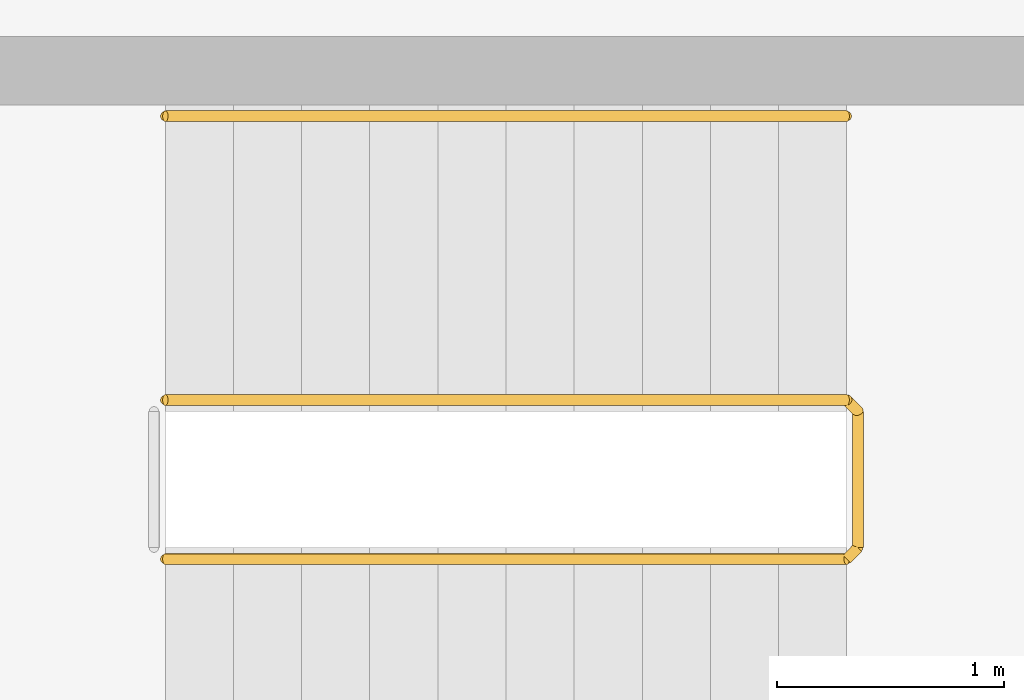
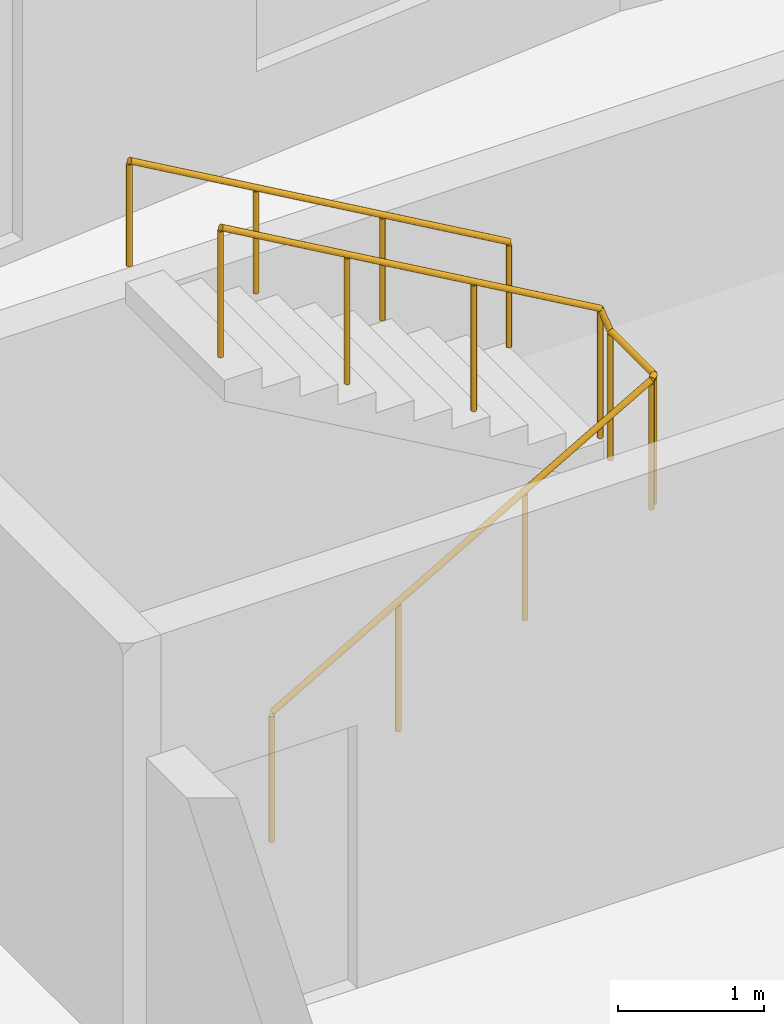
# One storey, part 10 of 10: 2 railings.
"""IFC4 building model written with IfcOpenShell, lengths in metres."""

from ifc_helpers import new_model, si_unit, direction, frame, origin, origin_2d, place, context, subcontext, project, spatial, circle, extrude, material, type_object, element, save


model = new_model("IFC4")

# Units and contexts
model_context = context("Model", 3, precision=1e-05, world=origin(), true_north=direction((0.0, 1.0)))
body_context = subcontext(model_context, "Body", "Model", "MODEL_VIEW")
ifc_project = project(units=[si_unit("LENGTHUNIT", "METRE"), si_unit("AREAUNIT", "SQUARE_METRE"), si_unit("VOLUMEUNIT", "CUBIC_METRE"), si_unit("PLANEANGLEUNIT", "RADIAN"), si_unit("MASSUNIT", "GRAM", prefix="KILO")], contexts=[model_context])

# Site, building, storey
site_placement = place(None, origin())
site = spatial("IfcSite", under=ifc_project, at=site_placement, CompositionType="ELEMENT")
building_placement = place(site_placement, origin())
building = spatial("IfcBuilding", under=site, at=building_placement, Name="Brondeck Convention Tower", CompositionType="ELEMENT")
storey_placement = place(building_placement, frame((0.0, 0.0, 185.199951171875)))
storey = spatial("IfcBuildingStorey", under=building, at=storey_placement, Name="L45", CompositionType="ELEMENT", Elevation=185.199951171875)

# Railings
ifc_material = material(Name="Steel S355", Category="steel")
railing_type_1 = type_object("IfcRailingType", Name="Stair guard 1100", PredefinedType="GUARDRAIL", material=ifc_material)
railing_1_placement = place(storey_placement, frame((37.85009765625, 55.449951171875, 0.1728515625)))
element("IfcRailing", 1, at=railing_1_placement, inside=storey, type_object=railing_type_1, Name="L45 ST-AE stair guard 1", PredefinedType="GUARDRAIL", context=body_context, shape_type="SweptSolid", body=[
    extrude(circle(Radius=0.02392578125, at=origin_2d()), frame((0.0, 0.0, 1.076171875), z_axis=(0.866619684472, 0.0, 0.498969260062), x_axis=(0.0, 1.0, 0.0)), (0.0, 0.0, 1.0), 3.461669921875),
    extrude(circle(Radius=0.02392578125, at=origin_2d()), frame((3.0, 0.0, 2.80322265625), z_axis=(0.705375805398, 0.708833529934, 0.0), x_axis=(-0.708833529934, 0.705375805398, 0.0)), (0.0, 0.0, 1.0), 0.070556640625),
    extrude(circle(Radius=0.02392578125, at=origin_2d()), frame((3.0498046875, 0.050048828125, 2.80322265625), z_axis=(0.0, 1.0, 0.0), x_axis=(-1.0, 0.0, 0.0)), (0.0, 0.0, 1.0), 0.60009765625),
    extrude(circle(Radius=0.02392578125, at=origin_2d()), frame((3.0498046875, 0.650146484375, 2.80322265625), z_axis=(-0.26715648603, 0.26715648603, 0.925880566782), x_axis=(-0.707106781187, -0.707106781187, 0.0)), (0.0, 0.0, 1.0), 0.1865234375),
    extrude(circle(Radius=0.02392578125, at=origin_2d()), frame((3.0, 0.699951171875, 2.97607421875), z_axis=(-0.866619684472, 0.0, 0.498969260062), x_axis=(0.0, -1.0, 0.0)), (0.0, 0.0, 1.0), 3.461669921875),
    extrude(circle(Radius=0.02099609375, at=origin_2d()), origin(), (0.0, 0.0, 1.0), 1.052001953125),
    extrude(circle(Radius=0.02099609375, at=origin_2d()), frame((1.0, 0.0, 0.57568359375)), (0.0, 0.0, 1.0), 1.052001953125),
    extrude(circle(Radius=0.02099609375, at=origin_2d()), frame((2.0, 0.0, 1.151611328125)), (0.0, 0.0, 1.0), 1.052001953125),
    extrude(circle(Radius=0.02099609375, at=origin_2d()), frame((3.0, 0.0, 1.727294921875)), (0.0, 0.0, 1.0), 1.052001953125),
    extrude(circle(Radius=0.02099609375, at=origin_2d()), frame((3.0498046875, 0.050048828125, 1.727294921875)), (0.0, 0.0, 1.0), 1.052001953125),
    extrude(circle(Radius=0.02099609375, at=origin_2d()), frame((3.0498046875, 0.650146484375, 1.727294921875)), (0.0, 0.0, 1.0), 1.052001953125),
    extrude(circle(Radius=0.02099609375, at=origin_2d()), frame((3.0, 0.699951171875, 1.89990234375)), (0.0, 0.0, 1.0), 1.052001953125),
    extrude(circle(Radius=0.02099609375, at=origin_2d()), frame((2.0, 0.699951171875, 2.4755859375)), (0.0, 0.0, 1.0), 1.052001953125),
    extrude(circle(Radius=0.02099609375, at=origin_2d()), frame((1.0, 0.699951171875, 3.051513671875)), (0.0, 0.0, 1.0), 1.052001953125),
    extrude(circle(Radius=0.02099609375, at=origin_2d()), frame((0.0, 0.699951171875, 3.627197265625)), (0.0, 0.0, 1.0), 1.052001953125),
])
railing_type_2 = type_object("IfcRailingType", Name="Stair handrail", PredefinedType="HANDRAIL", material=ifc_material)
railing_2_placement = place(storey_placement, frame((40.85009765625, 57.39990234375, 2.07275390625)))
element("IfcRailing", 2, at=railing_2_placement, inside=storey, type_object=railing_type_2, Name="L45 ST-AE stair handrail 2", PredefinedType="HANDRAIL", context=body_context, shape_type="SweptSolid", body=[
    extrude(circle(Radius=0.02392578125, at=origin_2d()), frame((0.0, 0.0, 0.8759765625), z_axis=(-0.866619684472, 0.0, 0.498969260062), x_axis=(0.0, -1.0, 0.0)), (0.0, 0.0, 1.0), 3.461669921875),
    extrude(circle(Radius=0.02099609375, at=origin_2d()), origin(), (0.0, 0.0, 1.0), 0.851806640625),
    extrude(circle(Radius=0.02099609375, at=origin_2d()), frame((-1.0, 0.0, 0.57568359375)), (0.0, 0.0, 1.0), 0.851806640625),
    extrude(circle(Radius=0.02099609375, at=origin_2d()), frame((-2.0, 0.0, 1.151611328125)), (0.0, 0.0, 1.0), 0.851806640625),
    extrude(circle(Radius=0.02099609375, at=origin_2d()), frame((-3.0, 0.0, 1.727294921875)), (0.0, 0.0, 1.0), 0.851806640625),
])

save(model, "model.ifc")
